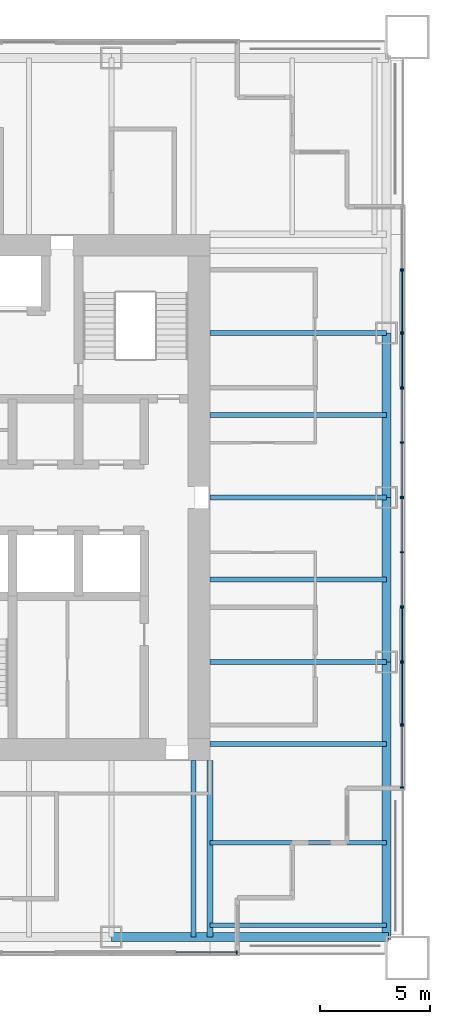
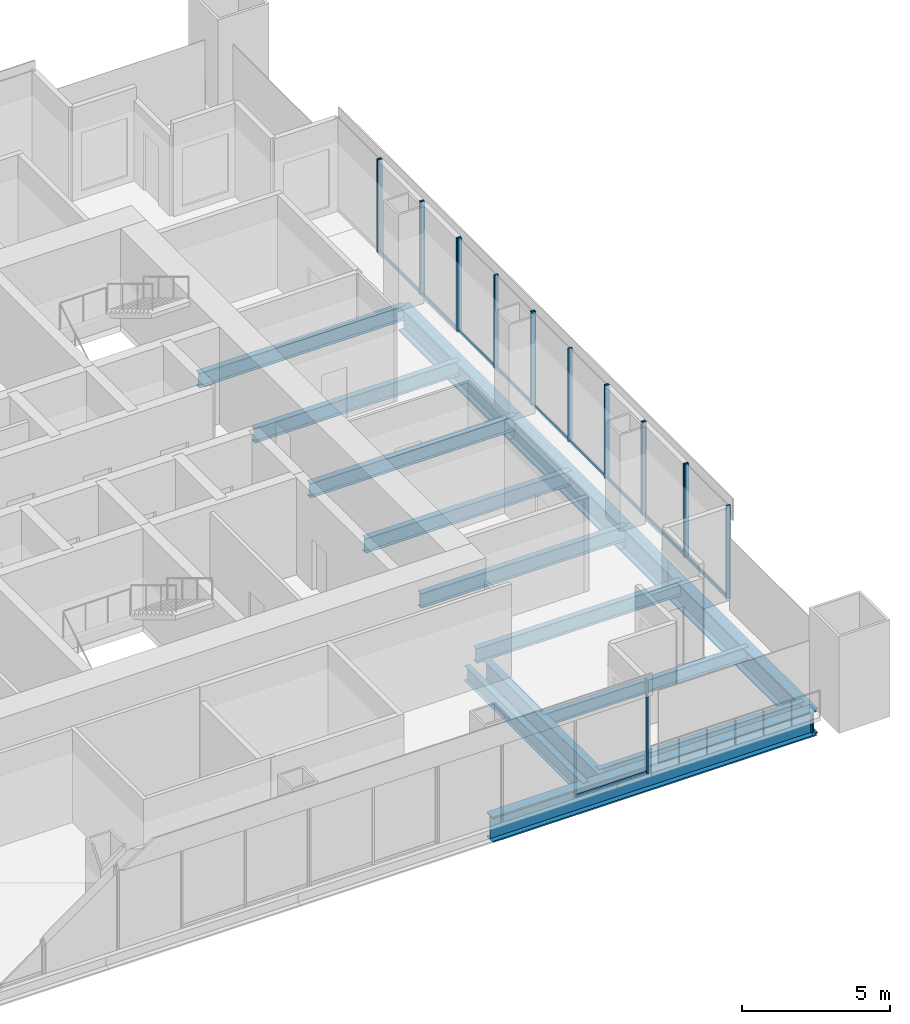
# One storey, part 5 of 14: 28 members, 14 beams, 9 elements without a shape of their own.
"""IFC4 building model written with IfcOpenShell, lengths in metres."""

from ifc_helpers import new_model, si_unit, direction, frame, origin, origin_2d, place, context, subcontext, project, spatial, rectangle, i_section, extrude, material, material_profile, profile_set, type_object, element, aggregate, save


model = new_model("IFC4")

# Units and contexts
model_context = context("Model", 3, precision=1e-05, world=origin(), true_north=direction((0.0, 1.0)))
body_context = subcontext(model_context, "Body", "Model", "MODEL_VIEW")
ifc_project = project(units=[si_unit("LENGTHUNIT", "METRE"), si_unit("AREAUNIT", "SQUARE_METRE"), si_unit("VOLUMEUNIT", "CUBIC_METRE"), si_unit("PLANEANGLEUNIT", "RADIAN"), si_unit("MASSUNIT", "GRAM", prefix="KILO")], contexts=[model_context])

# Site, building, storey
site_placement = place(None, origin())
site = spatial("IfcSite", under=ifc_project, at=site_placement, CompositionType="ELEMENT")
building_placement = place(site_placement, origin())
building = spatial("IfcBuilding", under=site, at=building_placement, Name="Tarangal Relay Tower", CompositionType="ELEMENT")
storey_placement = place(building_placement, frame((0.0, 0.0, 307.89990234375)))
storey = spatial("IfcBuildingStorey", under=building, at=storey_placement, Name="L68", CompositionType="ELEMENT", Elevation=307.89990234375)

# Beams
ifc_material_1 = material(Name="Steel ASTM A992", Category="steel")
ifc_material_profile_1 = material_profile(ifc_material_1, i_section(OverallWidth=0.209228515625, OverallDepth=0.533447265625, WebThickness=0.01025390625, FlangeThickness=0.015625, at=origin_2d()), Name="W21X62")
ifc_profile_set_1 = profile_set([ifc_material_profile_1], Name="Steel ASTM A992")
beam_type_1 = type_object("IfcBeamType", Name="Corner beam W21X62", PredefinedType="JOIST", material=ifc_profile_set_1)
for number, where, z_axis, x_axis, name in (
    (1, (12.0, -15.75, -0.41650390625), (1.0, 0.0, 0.0), (0.0, 1.0, 0.0), "Corner beam CB12 E L68"),
    (2, (12.0, -19.5, -0.41650390625), (1.0, 0.0, 0.0), (0.0, 1.0, 0.0), "Corner beam CB12 E L68"),
):
    element("IfcBeam", number, at=place(storey_placement, frame(where, z_axis=z_axis, x_axis=x_axis)), inside=storey, type_object=beam_type_1, Name=name, PredefinedType="JOIST", context=body_context, shape_type="SweptSolid", body=[
        extrude(i_section(OverallWidth=0.209228515625, OverallDepth=0.533447265625, WebThickness=0.01025390625, FlangeThickness=0.015625, at=origin_2d()), origin(), (0.0, 0.0, 1.0), 8.0400390625),
    ])
ifc_material_profile_2 = material_profile(ifc_material_1, i_section(OverallWidth=0.2919921875, OverallDepth=0.8408203125, WebThickness=0.0146484375, FlangeThickness=0.021728515625, at=origin_2d()), Name="W33X130")
ifc_profile_set_2 = profile_set([ifc_material_profile_2], Name="Steel ASTM A992")
beam_type_2 = type_object("IfcBeamType", Name="Corner girder W33X130", PredefinedType="BEAM", material=ifc_profile_set_2)
beam_placement = place(storey_placement, frame((12.0, -12.0, -0.5703125), z_axis=(0.0, -1.0, 0.0), x_axis=(1.0, 0.0, 0.0)))
element("IfcBeam", 3, at=beam_placement, inside=storey, type_object=beam_type_2, Name="Corner girder CG5 E L68", PredefinedType="BEAM", context=body_context, shape_type="SweptSolid", body=[
    extrude(i_section(OverallWidth=0.2919921875, OverallDepth=0.8408203125, WebThickness=0.0146484375, FlangeThickness=0.021728515625, at=origin_2d()), origin(), (0.0, 0.0, 1.0), 8.0400390625),
])
ifc_material_profile_3 = material_profile(ifc_material_1, i_section(OverallWidth=0.41162109375, OverallDepth=1.049072265625, WebThickness=0.033935546875, FlangeThickness=0.059814453125, at=origin_2d()), Name="W40X431")
ifc_profile_set_3 = profile_set([ifc_material_profile_3], Name="Steel ASTM A992")
beam_type_3 = type_object("IfcBeamType", Name="Edge girder W40X431", PredefinedType="SPANDREL", material=ifc_profile_set_3)
for number, where, z_axis, x_axis, name in (
    (4, (20.0400390625, 7.5, -0.67431640625), (0.0, -1.0, 0.0), (1.0, 0.0, 0.0), "Edge girder EG1 E L68"),
    (5, (20.0400390625, 0.0, -0.67431640625), (0.0, -1.0, 0.0), (1.0, 0.0, 0.0), "Edge girder EG1 E L68"),
):
    element("IfcBeam", number, at=place(storey_placement, frame(where, z_axis=z_axis, x_axis=x_axis)), inside=storey, type_object=beam_type_3, Name=name, PredefinedType="SPANDREL", context=body_context, shape_type="SweptSolid", body=[
        extrude(i_section(OverallWidth=0.41162109375, OverallDepth=1.049072265625, WebThickness=0.033935546875, FlangeThickness=0.059814453125, at=origin_2d()), origin(), (0.0, 0.0, 1.0), 7.5),
    ])
for number, where, z_axis, x_axis, name in (
    (6, (20.0400390625, -7.5, -0.67431640625), (0.0, -1.0, 0.0), (1.0, 0.0, 0.0), "Edge girder EG1 E L68"),
    (7, (20.14990234375, -20.0400390625, -0.67431640625), (-1.0, 0.0, 0.0), (0.0, -1.0, 0.0), "Edge girder EG1 S L68"),
):
    element("IfcBeam", number, at=place(storey_placement, frame(where, z_axis=z_axis, x_axis=x_axis)), inside=storey, type_object=beam_type_3, Name=name, PredefinedType="SPANDREL", context=body_context, shape_type="SweptSolid", body=[
        extrude(i_section(OverallWidth=0.41162109375, OverallDepth=1.049072265625, WebThickness=0.033935546875, FlangeThickness=0.059814453125, at=origin_2d()), origin(), (0.0, 0.0, 1.0), 12.64990234375),
    ])
ifc_material_profile_4 = material_profile(ifc_material_1, i_section(OverallWidth=0.228271484375, OverallDepth=0.607177734375, WebThickness=0.01123046875, FlangeThickness=0.017333984375, at=origin_2d()), Name="W24X76")
ifc_profile_set_4 = profile_set([ifc_material_profile_4], Name="Steel ASTM A992")
beam_type_4 = type_object("IfcBeamType", Name="Floor beam W24X76", PredefinedType="BEAM", material=ifc_profile_set_4)
for number, where, z_axis, x_axis, name in (
    (8, (12.0, 7.5, -0.453369140625), (1.0, 0.0, 0.0), (0.0, 1.0, 0.0), "Floor beam RB5 E L68"),
    (9, (12.0, 3.75, -0.453369140625), (1.0, 0.0, 0.0), (0.0, 1.0, 0.0), "Floor beam RB5 E L68"),
    (10, (12.0, 0.0, -0.453369140625), (1.0, 0.0, 0.0), (0.0, 1.0, 0.0), "Floor beam RB5 E L68"),
    (11, (12.0, -3.75, -0.453369140625), (1.0, 0.0, 0.0), (0.0, 1.0, 0.0), "Floor beam RB5 E L68"),
    (12, (12.0, -7.5, -0.453369140625), (1.0, 0.0, 0.0), (0.0, 1.0, 0.0), "Floor beam RB5 E L68"),
    (13, (12.0, -11.25, -0.453369140625), (1.0, 0.0, 0.0), (0.0, 1.0, 0.0), "Floor beam RB5 E L68"),
    (14, (11.25, -12.0, -0.453369140625), (0.0, -1.0, 0.0), (1.0, 0.0, 0.0), "Floor beam RB5 S L68"),
):
    element("IfcBeam", number, at=place(storey_placement, frame(where, z_axis=z_axis, x_axis=x_axis)), inside=storey, type_object=beam_type_4, Name=name, PredefinedType="BEAM", context=body_context, shape_type="SweptSolid", body=[
        extrude(i_section(OverallWidth=0.228271484375, OverallDepth=0.607177734375, WebThickness=0.01123046875, FlangeThickness=0.017333984375, at=origin_2d()), origin(), (0.0, 0.0, 1.0), 8.0400390625),
    ])

# Curtain wall, member
ifc_material_2 = material(Name="Unitised curtain wall, dark glass and black aluminium", Category="aluminium")
curtain_wall_type_1 = type_object("IfcCurtainWallType", Name="Curtain wall CW-B", PredefinedType="USERDEFINED", material=ifc_material_2)
curtain_wall_1_placement = place(storey_placement, origin())
curtain_wall_1 = element("IfcCurtainWall", 15, at=curtain_wall_1_placement, inside=storey, type_object=curtain_wall_type_1, Name="Curtain wall CW-B E facade L68", ObjectType="UNITISED CURTAIN WALL", PredefinedType="USERDEFINED")
ifc_material_3 = material(Name="Black anodised aluminium mullion", Category="aluminium")
ifc_material_profile_5 = material_profile(ifc_material_3, rectangle(XDim=0.159912109375, YDim=0.06005859375, at=origin_2d()), Name="CW-BM 60X160")
ifc_profile_set_5 = profile_set([ifc_material_profile_5], Name="Black anodised aluminium mullion")
member_type_1 = type_object("IfcMemberType", Name="Mullion CW-B 60 x 160", PredefinedType="MULLION", material=ifc_profile_set_5)
member_1_placement = place(storey_placement, frame((20.75, 10.405029296875, 0.0), z_axis=(0.0, 0.0, 1.0), x_axis=(1.0, 0.0, 0.0)))
member_1 = element("IfcMember", 16, at=member_1_placement, type_object=member_type_1, Name="CW-B mullion 2", PredefinedType="MULLION", context=body_context, shape_type="SweptSolid", body=[
    extrude(rectangle(XDim=0.159912109375, YDim=0.06005859375, at=origin_2d()), origin(), (0.0, 0.0, 1.0), 3.85009765625),
])
aggregate(curtain_wall_1, [member_1])

# Curtain wall, members
curtain_wall_2_placement = place(storey_placement, origin())
curtain_wall_2 = element("IfcCurtainWall", 17, at=curtain_wall_2_placement, inside=storey, type_object=curtain_wall_type_1, Name="Curtain wall CW-B E facade L68", ObjectType="UNITISED CURTAIN WALL", PredefinedType="USERDEFINED")
member_2_placement = place(storey_placement, frame((20.75, 4.969970703125, 0.0), z_axis=(0.0, 0.0, 1.0), x_axis=(1.0, 0.0, 0.0)))
member_2 = element("IfcMember", 18, at=member_2_placement, type_object=member_type_1, Name="CW-B mullion 1", PredefinedType="MULLION", context=body_context, shape_type="SweptSolid", body=[
    extrude(rectangle(XDim=0.159912109375, YDim=0.06005859375, at=origin_2d()), origin(), (0.0, 0.0, 1.0), 3.85009765625),
])
member_3_placement = place(storey_placement, frame((20.75, 2.5, 0.0), z_axis=(0.0, 0.0, 1.0), x_axis=(1.0, 0.0, 0.0)))
member_3 = element("IfcMember", 19, at=member_3_placement, type_object=member_type_1, Name="CW-B mullion 2", PredefinedType="MULLION", context=body_context, shape_type="SweptSolid", body=[
    extrude(rectangle(XDim=0.159912109375, YDim=0.06005859375, at=origin_2d()), origin(), (0.0, 0.0, 1.0), 3.85009765625),
])
member_4_placement = place(storey_placement, frame((20.75, 0.030029296875, 0.0), z_axis=(0.0, 0.0, 1.0), x_axis=(1.0, 0.0, 0.0)))
member_4 = element("IfcMember", 20, at=member_4_placement, type_object=member_type_1, Name="CW-B mullion 3", PredefinedType="MULLION", context=body_context, shape_type="SweptSolid", body=[
    extrude(rectangle(XDim=0.159912109375, YDim=0.06005859375, at=origin_2d()), origin(), (0.0, 0.0, 1.0), 3.85009765625),
])

curtain_wall_3_placement = place(storey_placement, origin())
curtain_wall_3 = element("IfcCurtainWall", 21, at=curtain_wall_3_placement, inside=storey, type_object=curtain_wall_type_1, Name="Curtain wall CW-B E facade L68", ObjectType="UNITISED CURTAIN WALL", PredefinedType="USERDEFINED")
member_5_placement = place(storey_placement, frame((20.75, -0.030029296875, 0.0), z_axis=(0.0, 0.0, 1.0), x_axis=(1.0, 0.0, 0.0)))
member_5 = element("IfcMember", 22, at=member_5_placement, type_object=member_type_1, Name="CW-B mullion 1", PredefinedType="MULLION", context=body_context, shape_type="SweptSolid", body=[
    extrude(rectangle(XDim=0.159912109375, YDim=0.06005859375, at=origin_2d()), origin(), (0.0, 0.0, 1.0), 3.85009765625),
])
member_6_placement = place(storey_placement, frame((20.75, -2.5, 0.0), z_axis=(0.0, 0.0, 1.0), x_axis=(1.0, 0.0, 0.0)))
member_6 = element("IfcMember", 23, at=member_6_placement, type_object=member_type_1, Name="CW-B mullion 2", PredefinedType="MULLION", context=body_context, shape_type="SweptSolid", body=[
    extrude(rectangle(XDim=0.159912109375, YDim=0.06005859375, at=origin_2d()), origin(), (0.0, 0.0, 1.0), 3.85009765625),
])
member_7_placement = place(storey_placement, frame((20.75, -4.969970703125, 0.0), z_axis=(0.0, 0.0, 1.0), x_axis=(1.0, 0.0, 0.0)))
member_7 = element("IfcMember", 24, at=member_7_placement, type_object=member_type_1, Name="CW-B mullion 3", PredefinedType="MULLION", context=body_context, shape_type="SweptSolid", body=[
    extrude(rectangle(XDim=0.159912109375, YDim=0.06005859375, at=origin_2d()), origin(), (0.0, 0.0, 1.0), 3.85009765625),
])

curtain_wall_4_placement = place(storey_placement, origin())
curtain_wall_4 = element("IfcCurtainWall", 25, at=curtain_wall_4_placement, inside=storey, type_object=curtain_wall_type_1, Name="Curtain wall CW-B E facade L68", ObjectType="UNITISED CURTAIN WALL", PredefinedType="USERDEFINED")
member_8_placement = place(storey_placement, frame((20.75, -10.405029296875, 0.0), z_axis=(0.0, 0.0, 1.0), x_axis=(1.0, 0.0, 0.0)))
member_8 = element("IfcMember", 26, at=member_8_placement, type_object=member_type_1, Name="CW-B mullion 1", PredefinedType="MULLION", context=body_context, shape_type="SweptSolid", body=[
    extrude(rectangle(XDim=0.159912109375, YDim=0.06005859375, at=origin_2d()), origin(), (0.0, 0.0, 1.0), 3.85009765625),
])
member_9_placement = place(storey_placement, frame((20.75, -13.219970703125, 0.0), z_axis=(0.0, 0.0, 1.0), x_axis=(1.0, 0.0, 0.0)))
member_9 = element("IfcMember", 27, at=member_9_placement, type_object=member_type_1, Name="CW-B mullion 2", PredefinedType="MULLION", context=body_context, shape_type="SweptSolid", body=[
    extrude(rectangle(XDim=0.159912109375, YDim=0.06005859375, at=origin_2d()), origin(), (0.0, 0.0, 1.0), 3.85009765625),
])

# Curtain wall, member
curtain_wall_5_placement = place(storey_placement, origin())
curtain_wall_5 = element("IfcCurtainWall", 28, at=curtain_wall_5_placement, inside=storey, type_object=curtain_wall_type_1, Name="Curtain wall CW-B S facade L68", ObjectType="UNITISED CURTAIN WALL", PredefinedType="USERDEFINED")
member_10_placement = place(storey_placement, frame((13.219970703125, -20.75, 0.0), z_axis=(0.0, 0.0, 1.0), x_axis=(0.0, -1.0, 0.0)))
member_10 = element("IfcMember", 29, at=member_10_placement, type_object=member_type_1, Name="CW-B mullion 1", PredefinedType="MULLION", context=body_context, shape_type="SweptSolid", body=[
    extrude(rectangle(XDim=0.159912109375, YDim=0.06005859375, at=origin_2d()), origin(), (0.0, 0.0, 1.0), 3.85009765625),
])

# Curtain wall, members
ifc_material_4 = material(Name="Unitised curtain wall frame, black aluminium, with metal clad infill walls", Category="aluminium")
curtain_wall_type_2 = type_object("IfcCurtainWallType", Name="Curtain wall CW-BO", PredefinedType="USERDEFINED", material=ifc_material_4)
curtain_wall_6_placement = place(storey_placement, origin())
curtain_wall_6 = element("IfcCurtainWall", 30, at=curtain_wall_6_placement, inside=storey, type_object=curtain_wall_type_2, Name="Curtain wall CW-BO E facade L68", ObjectType="UNITISED CURTAIN WALL", PredefinedType="USERDEFINED")
ifc_material_profile_6 = material_profile(ifc_material_3, rectangle(XDim=0.159912109375, YDim=0.06005859375, at=origin_2d()), Name="CW-BOM 60X160")
ifc_profile_set_6 = profile_set([ifc_material_profile_6], Name="Black anodised aluminium mullion")
member_type_2 = type_object("IfcMemberType", Name="Mullion CW-BO 60 x 160", PredefinedType="MULLION", material=ifc_profile_set_6)
member_11_placement = place(storey_placement, frame((20.75, 10.344970703125, 0.0), z_axis=(0.0, 0.0, 1.0), x_axis=(1.0, 0.0, 0.0)))
member_11 = element("IfcMember", 31, at=member_11_placement, type_object=member_type_2, Name="CW-BO mullion 1", PredefinedType="MULLION", context=body_context, shape_type="SweptSolid", body=[
    extrude(rectangle(XDim=0.159912109375, YDim=0.06005859375, at=origin_2d()), origin(), (0.0, 0.0, 1.0), 3.85009765625),
])
member_12_placement = place(storey_placement, frame((20.75, 7.530029296875, 0.0), z_axis=(0.0, 0.0, 1.0), x_axis=(1.0, 0.0, 0.0)))
member_12 = element("IfcMember", 32, at=member_12_placement, type_object=member_type_2, Name="CW-BO mullion 2", PredefinedType="MULLION", context=body_context, shape_type="SweptSolid", body=[
    extrude(rectangle(XDim=0.159912109375, YDim=0.06005859375, at=origin_2d()), origin(), (0.0, 0.0, 1.0), 3.85009765625),
])

curtain_wall_7_placement = place(storey_placement, origin())
curtain_wall_7 = element("IfcCurtainWall", 33, at=curtain_wall_7_placement, inside=storey, type_object=curtain_wall_type_2, Name="Curtain wall CW-BO E facade L68", ObjectType="UNITISED CURTAIN WALL", PredefinedType="USERDEFINED")
member_13_placement = place(storey_placement, frame((20.75, 7.469970703125, 0.0), z_axis=(0.0, 0.0, 1.0), x_axis=(1.0, 0.0, 0.0)))
member_13 = element("IfcMember", 34, at=member_13_placement, type_object=member_type_2, Name="CW-BO mullion 1", PredefinedType="MULLION", context=body_context, shape_type="SweptSolid", body=[
    extrude(rectangle(XDim=0.159912109375, YDim=0.06005859375, at=origin_2d()), origin(), (0.0, 0.0, 1.0), 3.85009765625),
])
member_14_placement = place(storey_placement, frame((20.75, 5.030029296875, 0.0), z_axis=(0.0, 0.0, 1.0), x_axis=(1.0, 0.0, 0.0)))
member_14 = element("IfcMember", 35, at=member_14_placement, type_object=member_type_2, Name="CW-BO mullion 2", PredefinedType="MULLION", context=body_context, shape_type="SweptSolid", body=[
    extrude(rectangle(XDim=0.159912109375, YDim=0.06005859375, at=origin_2d()), origin(), (0.0, 0.0, 1.0), 3.85009765625),
])

curtain_wall_8_placement = place(storey_placement, origin())
curtain_wall_8 = element("IfcCurtainWall", 36, at=curtain_wall_8_placement, inside=storey, type_object=curtain_wall_type_2, Name="Curtain wall CW-BO E facade L68", ObjectType="UNITISED CURTAIN WALL", PredefinedType="USERDEFINED")
member_15_placement = place(storey_placement, frame((20.75, -5.030029296875, 0.0), z_axis=(0.0, 0.0, 1.0), x_axis=(1.0, 0.0, 0.0)))
member_15 = element("IfcMember", 37, at=member_15_placement, type_object=member_type_2, Name="CW-BO mullion 1", PredefinedType="MULLION", context=body_context, shape_type="SweptSolid", body=[
    extrude(rectangle(XDim=0.159912109375, YDim=0.06005859375, at=origin_2d()), origin(), (0.0, 0.0, 1.0), 3.85009765625),
])
member_16_placement = place(storey_placement, frame((20.75, -7.469970703125, 0.0), z_axis=(0.0, 0.0, 1.0), x_axis=(1.0, 0.0, 0.0)))
member_16 = element("IfcMember", 38, at=member_16_placement, type_object=member_type_2, Name="CW-BO mullion 2", PredefinedType="MULLION", context=body_context, shape_type="SweptSolid", body=[
    extrude(rectangle(XDim=0.159912109375, YDim=0.06005859375, at=origin_2d()), origin(), (0.0, 0.0, 1.0), 3.85009765625),
])

curtain_wall_9_placement = place(storey_placement, origin())
curtain_wall_9 = element("IfcCurtainWall", 39, at=curtain_wall_9_placement, inside=storey, type_object=curtain_wall_type_2, Name="Curtain wall CW-BO E facade L68", ObjectType="UNITISED CURTAIN WALL", PredefinedType="USERDEFINED")
member_17_placement = place(storey_placement, frame((20.75, -7.530029296875, 0.0), z_axis=(0.0, 0.0, 1.0), x_axis=(1.0, 0.0, 0.0)))
member_17 = element("IfcMember", 40, at=member_17_placement, type_object=member_type_2, Name="CW-BO mullion 1", PredefinedType="MULLION", context=body_context, shape_type="SweptSolid", body=[
    extrude(rectangle(XDim=0.159912109375, YDim=0.06005859375, at=origin_2d()), origin(), (0.0, 0.0, 1.0), 3.85009765625),
])
member_18_placement = place(storey_placement, frame((20.75, -10.344970703125, 0.0), z_axis=(0.0, 0.0, 1.0), x_axis=(1.0, 0.0, 0.0)))
member_18 = element("IfcMember", 41, at=member_18_placement, type_object=member_type_2, Name="CW-BO mullion 2", PredefinedType="MULLION", context=body_context, shape_type="SweptSolid", body=[
    extrude(rectangle(XDim=0.159912109375, YDim=0.06005859375, at=origin_2d()), origin(), (0.0, 0.0, 1.0), 3.85009765625),
])

# Member
ifc_material_5 = material(Name="Black anodised aluminium transom", Category="aluminium")
ifc_material_profile_7 = material_profile(ifc_material_5, rectangle(XDim=0.06005859375, YDim=0.1298828125, at=origin_2d()), Name="CW-BT 60X130")
ifc_profile_set_7 = profile_set([ifc_material_profile_7], Name="Black anodised aluminium transom")
member_type_3 = type_object("IfcMemberType", Name="Transom CW-B 60 x 130", PredefinedType="USERDEFINED", material=ifc_profile_set_7)
member_19_placement = place(storey_placement, frame((20.75, 4.93994140625, 0.030029296875), z_axis=(0.0, -1.0, 0.0), x_axis=(1.0, 0.0, 0.0)))
member_19 = element("IfcMember", 42, at=member_19_placement, type_object=member_type_3, Name="CW-B transom 1.1", ObjectType="TRANSOM", PredefinedType="USERDEFINED", context=body_context, shape_type="SweptSolid", body=[
    extrude(rectangle(XDim=0.06005859375, YDim=0.1298828125, at=origin_2d()), origin(), (0.0, 0.0, 1.0), 2.409912109375),
])

member_20_placement = place(storey_placement, frame((20.75, 2.469970703125, 0.030029296875), z_axis=(0.0, -1.0, 0.0), x_axis=(1.0, 0.0, 0.0)))
member_20 = element("IfcMember", 43, at=member_20_placement, type_object=member_type_3, Name="CW-B transom 2.1", ObjectType="TRANSOM", PredefinedType="USERDEFINED", context=body_context, shape_type="SweptSolid", body=[
    extrude(rectangle(XDim=0.06005859375, YDim=0.1298828125, at=origin_2d()), origin(), (0.0, 0.0, 1.0), 2.409912109375),
])

aggregate(curtain_wall_2, [member_2, member_3, member_4, member_19, member_20])

member_21_placement = place(storey_placement, frame((20.75, -0.06005859375, 0.030029296875), z_axis=(0.0, -1.0, 0.0), x_axis=(1.0, 0.0, 0.0)))
member_21 = element("IfcMember", 44, at=member_21_placement, type_object=member_type_3, Name="CW-B transom 1.1", ObjectType="TRANSOM", PredefinedType="USERDEFINED", context=body_context, shape_type="SweptSolid", body=[
    extrude(rectangle(XDim=0.06005859375, YDim=0.1298828125, at=origin_2d()), origin(), (0.0, 0.0, 1.0), 2.409912109375),
])

member_22_placement = place(storey_placement, frame((20.75, -2.530029296875, 0.030029296875), z_axis=(0.0, -1.0, 0.0), x_axis=(1.0, 0.0, 0.0)))
member_22 = element("IfcMember", 45, at=member_22_placement, type_object=member_type_3, Name="CW-B transom 2.1", ObjectType="TRANSOM", PredefinedType="USERDEFINED", context=body_context, shape_type="SweptSolid", body=[
    extrude(rectangle(XDim=0.06005859375, YDim=0.1298828125, at=origin_2d()), origin(), (0.0, 0.0, 1.0), 2.409912109375),
])

aggregate(curtain_wall_3, [member_5, member_6, member_7, member_21, member_22])

member_23_placement = place(storey_placement, frame((20.75, -10.43505859375, 0.030029296875), z_axis=(0.0, -1.0, 0.0), x_axis=(1.0, 0.0, 0.0)))
member_23 = element("IfcMember", 46, at=member_23_placement, type_object=member_type_3, Name="CW-B transom 1.1", ObjectType="TRANSOM", PredefinedType="USERDEFINED", context=body_context, shape_type="SweptSolid", body=[
    extrude(rectangle(XDim=0.06005859375, YDim=0.1298828125, at=origin_2d()), origin(), (0.0, 0.0, 1.0), 2.7548828125),
])

aggregate(curtain_wall_4, [member_8, member_9, member_23])

member_24_placement = place(storey_placement, frame((13.18994140625, -20.75, 0.030029296875), z_axis=(-1.0, 0.0, 0.0), x_axis=(0.0, -1.0, 0.0)))
member_24 = element("IfcMember", 47, at=member_24_placement, type_object=member_type_3, Name="CW-B transom 1.1", ObjectType="TRANSOM", PredefinedType="USERDEFINED", context=body_context, shape_type="SweptSolid", body=[
    extrude(rectangle(XDim=0.06005859375, YDim=0.1298828125, at=origin_2d()), origin(), (0.0, 0.0, 1.0), 2.7548828125),
])

aggregate(curtain_wall_5, [member_10, member_24])

ifc_material_profile_8 = material_profile(ifc_material_5, rectangle(XDim=0.06005859375, YDim=0.1298828125, at=origin_2d()), Name="CW-BOT 60X130")
ifc_profile_set_8 = profile_set([ifc_material_profile_8], Name="Black anodised aluminium transom")
member_type_4 = type_object("IfcMemberType", Name="Transom CW-BO 60 x 130", PredefinedType="USERDEFINED", material=ifc_profile_set_8)
member_25_placement = place(storey_placement, frame((20.75, 10.31494140625, 0.030029296875), z_axis=(0.0, -1.0, 0.0), x_axis=(1.0, 0.0, 0.0)))
member_25 = element("IfcMember", 48, at=member_25_placement, type_object=member_type_4, Name="CW-BO transom 1.1", ObjectType="TRANSOM", PredefinedType="USERDEFINED", context=body_context, shape_type="SweptSolid", body=[
    extrude(rectangle(XDim=0.06005859375, YDim=0.1298828125, at=origin_2d()), origin(), (0.0, 0.0, 1.0), 2.7548828125),
])

aggregate(curtain_wall_6, [member_11, member_12, member_25])

member_26_placement = place(storey_placement, frame((20.75, 7.43994140625, 0.030029296875), z_axis=(0.0, -1.0, 0.0), x_axis=(1.0, 0.0, 0.0)))
member_26 = element("IfcMember", 49, at=member_26_placement, type_object=member_type_4, Name="CW-BO transom 1.1", ObjectType="TRANSOM", PredefinedType="USERDEFINED", context=body_context, shape_type="SweptSolid", body=[
    extrude(rectangle(XDim=0.06005859375, YDim=0.1298828125, at=origin_2d()), origin(), (0.0, 0.0, 1.0), 2.3798828125),
])

aggregate(curtain_wall_7, [member_13, member_14, member_26])

member_27_placement = place(storey_placement, frame((20.75, -5.06005859375, 0.030029296875), z_axis=(0.0, -1.0, 0.0), x_axis=(1.0, 0.0, 0.0)))
member_27 = element("IfcMember", 50, at=member_27_placement, type_object=member_type_4, Name="CW-BO transom 1.1", ObjectType="TRANSOM", PredefinedType="USERDEFINED", context=body_context, shape_type="SweptSolid", body=[
    extrude(rectangle(XDim=0.06005859375, YDim=0.1298828125, at=origin_2d()), origin(), (0.0, 0.0, 1.0), 2.3798828125),
])

aggregate(curtain_wall_8, [member_15, member_16, member_27])

member_28_placement = place(storey_placement, frame((20.75, -7.56005859375, 0.030029296875), z_axis=(0.0, -1.0, 0.0), x_axis=(1.0, 0.0, 0.0)))
member_28 = element("IfcMember", 51, at=member_28_placement, type_object=member_type_4, Name="CW-BO transom 1.1", ObjectType="TRANSOM", PredefinedType="USERDEFINED", context=body_context, shape_type="SweptSolid", body=[
    extrude(rectangle(XDim=0.06005859375, YDim=0.1298828125, at=origin_2d()), origin(), (0.0, 0.0, 1.0), 2.7548828125),
])

aggregate(curtain_wall_9, [member_17, member_18, member_28])

save(model, "model.ifc")
